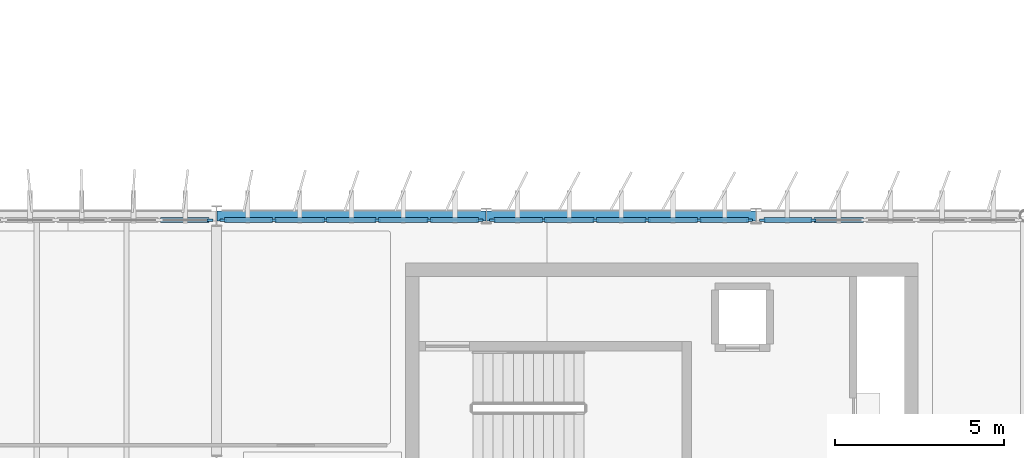
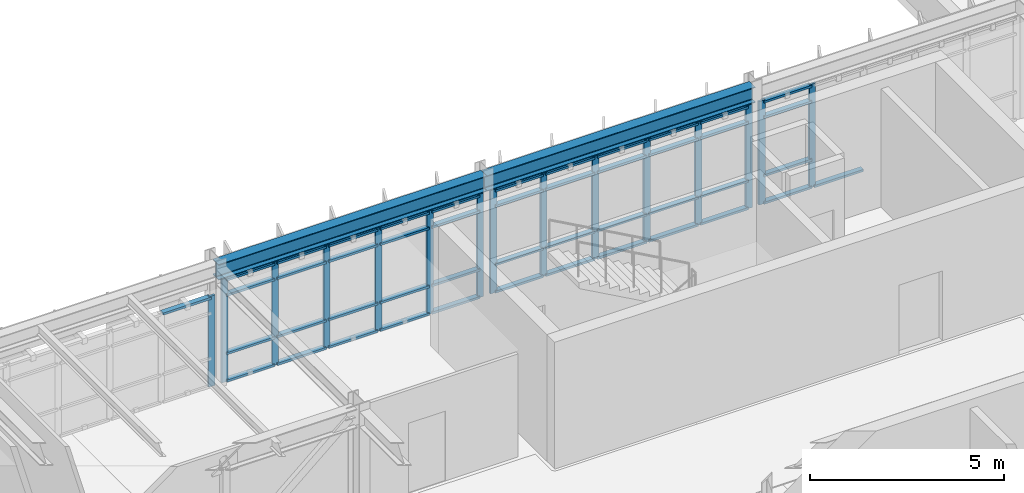
# One storey, part 17 of 56: 61 members, 2 beams, 4 elements without a shape of their own.
"""IFC4 building model written with IfcOpenShell, lengths in metres."""

from ifc_helpers import new_model, si_unit, direction, frame, origin, origin_2d, place, context, subcontext, project, spatial, rectangle, i_section, extrude, material, layer, layer_set, material_profile, profile_set, type_object, element, aggregate, save


model = new_model("IFC4")

# Units and contexts
model_context = context("Model", 3, precision=1e-05, world=origin(), true_north=direction((0.0, 1.0)))
body_context = subcontext(model_context, "Body", "Model", "MODEL_VIEW")
ifc_project = project(units=[si_unit("LENGTHUNIT", "METRE"), si_unit("AREAUNIT", "SQUARE_METRE"), si_unit("VOLUMEUNIT", "CUBIC_METRE"), si_unit("PLANEANGLEUNIT", "RADIAN"), si_unit("MASSUNIT", "GRAM", prefix="KILO")], contexts=[model_context])

# Site, building, storey
site_placement = place(None, origin())
site = spatial("IfcSite", under=ifc_project, at=site_placement, CompositionType="ELEMENT")
building_placement = place(site_placement, origin())
building = spatial("IfcBuilding", under=site, at=building_placement, Name="Valkorina Park Police Headquarters", CompositionType="ELEMENT")
storey_placement = place(building_placement, frame((0.0, 0.0, 14.10009765625)))
storey = spatial("IfcBuildingStorey", under=building, at=storey_placement, Name="L04", CompositionType="ELEMENT", Elevation=14.10009765625)

# Beams
ifc_material_1 = material(Name="Steel S355", Category="steel")
ifc_material_profile_1 = material_profile(ifc_material_1, i_section(OverallWidth=0.300048828125, OverallDepth=0.489990234375, WebThickness=0.011962890625, FlangeThickness=0.02294921875, FilletRadius=0.027099609375, at=origin_2d()), Name="HEA 500")
ifc_profile_set_1 = profile_set([ifc_material_profile_1], Name="Steel S355")
beam_type = type_object("IfcBeamType", Name="BM-S355-HEA500-SPN", PredefinedType="SPANDREL", material=ifc_profile_set_1)
beam_1_placement = place(storey_placement, frame((32.8076171875, 59.199951171875, 3.510009765625), z_axis=(1.0, 0.0, 0.0), x_axis=(0.0, 1.0, 0.0)))
element("IfcBeam", 1, at=beam_1_placement, inside=storey, type_object=beam_type, Name="L04 Framing Beam 2253", PredefinedType="SPANDREL", context=body_context, shape_type="SweptSolid", body=[
    extrude(i_section(OverallWidth=0.300048828125, OverallDepth=0.489990234375, WebThickness=0.011962890625, FlangeThickness=0.02294921875, FilletRadius=0.027099609375, at=origin_2d()), origin(), (0.0, 0.0, 1.0), 7.9853515625),
])
beam_2_placement = place(storey_placement, frame((40.806884765625, 59.199951171875, 3.510009765625), z_axis=(1.0, 0.0, 0.0), x_axis=(0.0, 1.0, 0.0)))
element("IfcBeam", 2, at=beam_2_placement, inside=storey, type_object=beam_type, Name="L04 Framing Beam 2254", PredefinedType="SPANDREL", context=body_context, shape_type="SweptSolid", body=[
    extrude(i_section(OverallWidth=0.300048828125, OverallDepth=0.489990234375, WebThickness=0.011962890625, FlangeThickness=0.02294921875, FilletRadius=0.027099609375, at=origin_2d()), origin(), (0.0, 0.0, 1.0), 7.986083984375),
])

# Curtain wall, member
ifc_material_2 = material(Name="Thermally broken aluminium AW-6060", Category="aluminium")
ifc_layer_1 = layer(ifc_material_2, 0.18994140625)
ifc_layer_set_1 = layer_set([ifc_layer_1], Name="Thermally broken aluminium AW-6060")
curtain_wall_type_1 = type_object("IfcCurtainWallType", Name="CW-V5-7680x2840", PredefinedType="NOTDEFINED", material=ifc_layer_set_1)
curtain_wall_1_placement = place(storey_placement, origin())
curtain_wall_1 = element("IfcCurtainWall", 3, at=curtain_wall_1_placement, inside=storey, type_object=curtain_wall_type_1, Name="L04 Unitised Curtain Wall 033", PredefinedType="NOTDEFINED")
ifc_material_profile_2 = material_profile(ifc_material_2, rectangle(XDim=0.070068359375, YDim=0.18994140625, at=origin_2d()), Name="CWM-02 70x190")
ifc_profile_set_2 = profile_set([ifc_material_profile_2], Name="Thermally broken aluminium AW-6060")
member_type_1 = type_object("IfcMemberType", Name="CWM-70x190", PredefinedType="MULLION", material=ifc_profile_set_2)
member_1_placement = place(storey_placement, frame((32.60498046875, 59.080078125, 0.0), z_axis=(0.0, 0.0, 1.0), x_axis=(0.0, 1.0, 0.0)))
member_1 = element("IfcMember", 4, at=member_1_placement, type_object=member_type_1, Name="CW-V5-768-284 mullion 6", PredefinedType="MULLION", context=body_context, shape_type="SweptSolid", body=[
    extrude(rectangle(XDim=0.070068359375, YDim=0.18994140625, at=origin_2d()), origin(), (0.0, 0.0, 1.0), 2.844970703125),
])

# Curtain wall, members
ifc_layer_2 = layer(ifc_material_2, 0.18994140625)
ifc_layer_set_2 = layer_set([ifc_layer_2], Name="Thermally broken aluminium AW-6060")
curtain_wall_type_2 = type_object("IfcCurtainWallType", Name="CW-V5-7680x3260", PredefinedType="NOTDEFINED", material=ifc_layer_set_2)
curtain_wall_2_placement = place(storey_placement, origin())
curtain_wall_2 = element("IfcCurtainWall", 5, at=curtain_wall_2_placement, inside=storey, type_object=curtain_wall_type_2, Name="L04 Unitised Curtain Wall 034", PredefinedType="NOTDEFINED")
member_2_placement = place(storey_placement, frame((32.9951171875, 59.080078125, 0.0), z_axis=(0.0, 0.0, 1.0), x_axis=(0.0, 1.0, 0.0)))
member_2 = element("IfcMember", 6, at=member_2_placement, type_object=member_type_1, Name="CW-V5-768-326 mullion 1", PredefinedType="MULLION", context=body_context, shape_type="SweptSolid", body=[
    extrude(rectangle(XDim=0.070068359375, YDim=0.18994140625, at=origin_2d()), origin(), (0.0, 0.0, 1.0), 3.2548828125),
])
member_3_placement = place(storey_placement, frame((34.49609375, 59.080078125, 0.0), z_axis=(0.0, 0.0, 1.0), x_axis=(0.0, 1.0, 0.0)))
member_3 = element("IfcMember", 7, at=member_3_placement, type_object=member_type_1, Name="CW-V5-768-326 mullion 2", PredefinedType="MULLION", context=body_context, shape_type="SweptSolid", body=[
    extrude(rectangle(XDim=0.070068359375, YDim=0.18994140625, at=origin_2d()), origin(), (0.0, 0.0, 1.0), 3.2548828125),
])
member_4_placement = place(storey_placement, frame((36.031982421875, 59.080078125, 0.0), z_axis=(0.0, 0.0, 1.0), x_axis=(0.0, 1.0, 0.0)))
member_4 = element("IfcMember", 8, at=member_4_placement, type_object=member_type_1, Name="CW-V5-768-326 mullion 3", PredefinedType="MULLION", context=body_context, shape_type="SweptSolid", body=[
    extrude(rectangle(XDim=0.070068359375, YDim=0.18994140625, at=origin_2d()), origin(), (0.0, 0.0, 1.0), 3.2548828125),
])
member_5_placement = place(storey_placement, frame((37.568115234375, 59.080078125, 0.0), z_axis=(0.0, 0.0, 1.0), x_axis=(0.0, 1.0, 0.0)))
member_5 = element("IfcMember", 9, at=member_5_placement, type_object=member_type_1, Name="CW-V5-768-326 mullion 4", PredefinedType="MULLION", context=body_context, shape_type="SweptSolid", body=[
    extrude(rectangle(XDim=0.070068359375, YDim=0.18994140625, at=origin_2d()), origin(), (0.0, 0.0, 1.0), 3.2548828125),
])
member_6_placement = place(storey_placement, frame((39.10400390625, 59.080078125, 0.0), z_axis=(0.0, 0.0, 1.0), x_axis=(0.0, 1.0, 0.0)))
member_6 = element("IfcMember", 10, at=member_6_placement, type_object=member_type_1, Name="CW-V5-768-326 mullion 5", PredefinedType="MULLION", context=body_context, shape_type="SweptSolid", body=[
    extrude(rectangle(XDim=0.070068359375, YDim=0.18994140625, at=origin_2d()), origin(), (0.0, 0.0, 1.0), 3.2548828125),
])
member_7_placement = place(storey_placement, frame((40.60498046875, 59.080078125, 0.0), z_axis=(0.0, 0.0, 1.0), x_axis=(0.0, 1.0, 0.0)))
member_7 = element("IfcMember", 11, at=member_7_placement, type_object=member_type_1, Name="CW-V5-768-326 mullion 6", PredefinedType="MULLION", context=body_context, shape_type="SweptSolid", body=[
    extrude(rectangle(XDim=0.070068359375, YDim=0.18994140625, at=origin_2d()), origin(), (0.0, 0.0, 1.0), 3.2548828125),
])

curtain_wall_3_placement = place(storey_placement, origin())
curtain_wall_3 = element("IfcCurtainWall", 12, at=curtain_wall_3_placement, inside=storey, type_object=curtain_wall_type_2, Name="L04 Unitised Curtain Wall 035", PredefinedType="NOTDEFINED")
member_8_placement = place(storey_placement, frame((40.9951171875, 59.080078125, 0.0), z_axis=(0.0, 0.0, 1.0), x_axis=(0.0, 1.0, 0.0)))
member_8 = element("IfcMember", 13, at=member_8_placement, type_object=member_type_1, Name="CW-V5-768-326 mullion 1", PredefinedType="MULLION", context=body_context, shape_type="SweptSolid", body=[
    extrude(rectangle(XDim=0.070068359375, YDim=0.18994140625, at=origin_2d()), origin(), (0.0, 0.0, 1.0), 3.2548828125),
])
member_9_placement = place(storey_placement, frame((42.49609375, 59.080078125, 0.0), z_axis=(0.0, 0.0, 1.0), x_axis=(0.0, 1.0, 0.0)))
member_9 = element("IfcMember", 14, at=member_9_placement, type_object=member_type_1, Name="CW-V5-768-326 mullion 2", PredefinedType="MULLION", context=body_context, shape_type="SweptSolid", body=[
    extrude(rectangle(XDim=0.070068359375, YDim=0.18994140625, at=origin_2d()), origin(), (0.0, 0.0, 1.0), 3.2548828125),
])
member_10_placement = place(storey_placement, frame((44.031982421875, 59.080078125, 0.0), z_axis=(0.0, 0.0, 1.0), x_axis=(0.0, 1.0, 0.0)))
member_10 = element("IfcMember", 15, at=member_10_placement, type_object=member_type_1, Name="CW-V5-768-326 mullion 3", PredefinedType="MULLION", context=body_context, shape_type="SweptSolid", body=[
    extrude(rectangle(XDim=0.070068359375, YDim=0.18994140625, at=origin_2d()), origin(), (0.0, 0.0, 1.0), 3.2548828125),
])
member_11_placement = place(storey_placement, frame((45.568115234375, 59.080078125, 0.0), z_axis=(0.0, 0.0, 1.0), x_axis=(0.0, 1.0, 0.0)))
member_11 = element("IfcMember", 16, at=member_11_placement, type_object=member_type_1, Name="CW-V5-768-326 mullion 4", PredefinedType="MULLION", context=body_context, shape_type="SweptSolid", body=[
    extrude(rectangle(XDim=0.070068359375, YDim=0.18994140625, at=origin_2d()), origin(), (0.0, 0.0, 1.0), 3.2548828125),
])
member_12_placement = place(storey_placement, frame((47.10400390625, 59.080078125, 0.0), z_axis=(0.0, 0.0, 1.0), x_axis=(0.0, 1.0, 0.0)))
member_12 = element("IfcMember", 17, at=member_12_placement, type_object=member_type_1, Name="CW-V5-768-326 mullion 5", PredefinedType="MULLION", context=body_context, shape_type="SweptSolid", body=[
    extrude(rectangle(XDim=0.070068359375, YDim=0.18994140625, at=origin_2d()), origin(), (0.0, 0.0, 1.0), 3.2548828125),
])
member_13_placement = place(storey_placement, frame((48.60498046875, 59.080078125, 0.0), z_axis=(0.0, 0.0, 1.0), x_axis=(0.0, 1.0, 0.0)))
member_13 = element("IfcMember", 18, at=member_13_placement, type_object=member_type_1, Name="CW-V5-768-326 mullion 6", PredefinedType="MULLION", context=body_context, shape_type="SweptSolid", body=[
    extrude(rectangle(XDim=0.070068359375, YDim=0.18994140625, at=origin_2d()), origin(), (0.0, 0.0, 1.0), 3.2548828125),
])

ifc_layer_3 = layer(ifc_material_2, 0.18994140625)
ifc_layer_set_3 = layer_set([ifc_layer_3], Name="Thermally broken aluminium AW-6060")
curtain_wall_type_3 = type_object("IfcCurtainWallType", Name="CW-V5-7650x3260", PredefinedType="NOTDEFINED", material=ifc_layer_set_3)
curtain_wall_4_placement = place(storey_placement, origin())
curtain_wall_4 = element("IfcCurtainWall", 19, at=curtain_wall_4_placement, inside=storey, type_object=curtain_wall_type_3, Name="L04 Unitised Curtain Wall 036", PredefinedType="NOTDEFINED")
member_14_placement = place(storey_placement, frame((48.9951171875, 59.080078125, 0.0), z_axis=(0.0, 0.0, 1.0), x_axis=(0.0, 1.0, 0.0)))
member_14 = element("IfcMember", 20, at=member_14_placement, type_object=member_type_1, Name="CW-V5-765-326 mullion 1", PredefinedType="MULLION", context=body_context, shape_type="SweptSolid", body=[
    extrude(rectangle(XDim=0.070068359375, YDim=0.18994140625, at=origin_2d()), origin(), (0.0, 0.0, 1.0), 3.2548828125),
])
member_15_placement = place(storey_placement, frame((50.490478515625, 59.080078125, 0.0), z_axis=(0.0, 0.0, 1.0), x_axis=(0.0, 1.0, 0.0)))
member_15 = element("IfcMember", 21, at=member_15_placement, type_object=member_type_1, Name="CW-V5-765-326 mullion 2", PredefinedType="MULLION", context=body_context, shape_type="SweptSolid", body=[
    extrude(rectangle(XDim=0.070068359375, YDim=0.18994140625, at=origin_2d()), origin(), (0.0, 0.0, 1.0), 3.2548828125),
])

# Member
ifc_material_profile_3 = material_profile(ifc_material_2, rectangle(XDim=0.14990234375, YDim=0.070068359375, at=origin_2d()), Name="CWT-02 150x70")
ifc_profile_set_3 = profile_set([ifc_material_profile_3], Name="Thermally broken aluminium AW-6060")
member_type_2 = type_object("IfcMemberType", Name="CWT-150x70", PredefinedType="USERDEFINED", material=ifc_profile_set_3)
member_16_placement = place(storey_placement, frame((31.138916015625, 59.080078125, 2.809814453125), z_axis=(1.0, 0.0, 0.0), x_axis=(0.0, 1.0, 0.0)))
member_16 = element("IfcMember", 22, at=member_16_placement, type_object=member_type_2, Name="CW-V5-768-284 transom 5.4", ObjectType="TRANSOM", PredefinedType="USERDEFINED", context=body_context, shape_type="SweptSolid", body=[
    extrude(rectangle(XDim=0.14990234375, YDim=0.070068359375, at=origin_2d()), origin(), (0.0, 0.0, 1.0), 1.43115234375),
])

aggregate(curtain_wall_1, [member_1, member_16])

member_17_placement = place(storey_placement, frame((33.030029296875, 59.080078125, 0.034912109375), z_axis=(1.0, 0.0, 0.0), x_axis=(0.0, 1.0, 0.0)))
member_17 = element("IfcMember", 23, at=member_17_placement, type_object=member_type_2, Name="CW-V5-768-326 transom 1.1", ObjectType="TRANSOM", PredefinedType="USERDEFINED", context=body_context, shape_type="SweptSolid", body=[
    extrude(rectangle(XDim=0.14990234375, YDim=0.070068359375, at=origin_2d()), origin(), (0.0, 0.0, 1.0), 1.430908203125),
])

member_18_placement = place(storey_placement, frame((33.030029296875, 59.080078125, 0.89990234375), z_axis=(1.0, 0.0, 0.0), x_axis=(0.0, 1.0, 0.0)))
member_18 = element("IfcMember", 24, at=member_18_placement, type_object=member_type_2, Name="CW-V5-768-326 transom 1.2", ObjectType="TRANSOM", PredefinedType="USERDEFINED", context=body_context, shape_type="SweptSolid", body=[
    extrude(rectangle(XDim=0.14990234375, YDim=0.070068359375, at=origin_2d()), origin(), (0.0, 0.0, 1.0), 1.430908203125),
])

member_19_placement = place(storey_placement, frame((33.030029296875, 59.080078125, 2.73486328125), z_axis=(1.0, 0.0, 0.0), x_axis=(0.0, 1.0, 0.0)))
member_19 = element("IfcMember", 25, at=member_19_placement, type_object=member_type_2, Name="CW-V5-768-326 transom 1.3", ObjectType="TRANSOM", PredefinedType="USERDEFINED", context=body_context, shape_type="SweptSolid", body=[
    extrude(rectangle(XDim=0.14990234375, YDim=0.070068359375, at=origin_2d()), origin(), (0.0, 0.0, 1.0), 1.430908203125),
])

member_20_placement = place(storey_placement, frame((33.030029296875, 59.080078125, 3.219970703125), z_axis=(1.0, 0.0, 0.0), x_axis=(0.0, 1.0, 0.0)))
member_20 = element("IfcMember", 26, at=member_20_placement, type_object=member_type_2, Name="CW-V5-768-326 transom 1.4", ObjectType="TRANSOM", PredefinedType="USERDEFINED", context=body_context, shape_type="SweptSolid", body=[
    extrude(rectangle(XDim=0.14990234375, YDim=0.070068359375, at=origin_2d()), origin(), (0.0, 0.0, 1.0), 1.430908203125),
])

member_21_placement = place(storey_placement, frame((34.531005859375, 59.080078125, 0.034912109375), z_axis=(1.0, 0.0, 0.0), x_axis=(0.0, 1.0, 0.0)))
member_21 = element("IfcMember", 27, at=member_21_placement, type_object=member_type_2, Name="CW-V5-768-326 transom 2.1", ObjectType="TRANSOM", PredefinedType="USERDEFINED", context=body_context, shape_type="SweptSolid", body=[
    extrude(rectangle(XDim=0.14990234375, YDim=0.070068359375, at=origin_2d()), origin(), (0.0, 0.0, 1.0), 1.466064453125),
])

member_22_placement = place(storey_placement, frame((34.531005859375, 59.080078125, 0.89990234375), z_axis=(1.0, 0.0, 0.0), x_axis=(0.0, 1.0, 0.0)))
member_22 = element("IfcMember", 28, at=member_22_placement, type_object=member_type_2, Name="CW-V5-768-326 transom 2.2", ObjectType="TRANSOM", PredefinedType="USERDEFINED", context=body_context, shape_type="SweptSolid", body=[
    extrude(rectangle(XDim=0.14990234375, YDim=0.070068359375, at=origin_2d()), origin(), (0.0, 0.0, 1.0), 1.466064453125),
])

member_23_placement = place(storey_placement, frame((34.531005859375, 59.080078125, 2.73486328125), z_axis=(1.0, 0.0, 0.0), x_axis=(0.0, 1.0, 0.0)))
member_23 = element("IfcMember", 29, at=member_23_placement, type_object=member_type_2, Name="CW-V5-768-326 transom 2.3", ObjectType="TRANSOM", PredefinedType="USERDEFINED", context=body_context, shape_type="SweptSolid", body=[
    extrude(rectangle(XDim=0.14990234375, YDim=0.070068359375, at=origin_2d()), origin(), (0.0, 0.0, 1.0), 1.466064453125),
])

member_24_placement = place(storey_placement, frame((34.531005859375, 59.080078125, 3.219970703125), z_axis=(1.0, 0.0, 0.0), x_axis=(0.0, 1.0, 0.0)))
member_24 = element("IfcMember", 30, at=member_24_placement, type_object=member_type_2, Name="CW-V5-768-326 transom 2.4", ObjectType="TRANSOM", PredefinedType="USERDEFINED", context=body_context, shape_type="SweptSolid", body=[
    extrude(rectangle(XDim=0.14990234375, YDim=0.070068359375, at=origin_2d()), origin(), (0.0, 0.0, 1.0), 1.466064453125),
])

member_25_placement = place(storey_placement, frame((36.06689453125, 59.080078125, 0.034912109375), z_axis=(1.0, 0.0, 0.0), x_axis=(0.0, 1.0, 0.0)))
member_25 = element("IfcMember", 31, at=member_25_placement, type_object=member_type_2, Name="CW-V5-768-326 transom 3.1", ObjectType="TRANSOM", PredefinedType="USERDEFINED", context=body_context, shape_type="SweptSolid", body=[
    extrude(rectangle(XDim=0.14990234375, YDim=0.070068359375, at=origin_2d()), origin(), (0.0, 0.0, 1.0), 1.466064453125),
])

member_26_placement = place(storey_placement, frame((36.06689453125, 59.080078125, 0.89990234375), z_axis=(1.0, 0.0, 0.0), x_axis=(0.0, 1.0, 0.0)))
member_26 = element("IfcMember", 32, at=member_26_placement, type_object=member_type_2, Name="CW-V5-768-326 transom 3.2", ObjectType="TRANSOM", PredefinedType="USERDEFINED", context=body_context, shape_type="SweptSolid", body=[
    extrude(rectangle(XDim=0.14990234375, YDim=0.070068359375, at=origin_2d()), origin(), (0.0, 0.0, 1.0), 1.466064453125),
])

member_27_placement = place(storey_placement, frame((36.06689453125, 59.080078125, 2.73486328125), z_axis=(1.0, 0.0, 0.0), x_axis=(0.0, 1.0, 0.0)))
member_27 = element("IfcMember", 33, at=member_27_placement, type_object=member_type_2, Name="CW-V5-768-326 transom 3.3", ObjectType="TRANSOM", PredefinedType="USERDEFINED", context=body_context, shape_type="SweptSolid", body=[
    extrude(rectangle(XDim=0.14990234375, YDim=0.070068359375, at=origin_2d()), origin(), (0.0, 0.0, 1.0), 1.466064453125),
])

member_28_placement = place(storey_placement, frame((36.06689453125, 59.080078125, 3.219970703125), z_axis=(1.0, 0.0, 0.0), x_axis=(0.0, 1.0, 0.0)))
member_28 = element("IfcMember", 34, at=member_28_placement, type_object=member_type_2, Name="CW-V5-768-326 transom 3.4", ObjectType="TRANSOM", PredefinedType="USERDEFINED", context=body_context, shape_type="SweptSolid", body=[
    extrude(rectangle(XDim=0.14990234375, YDim=0.070068359375, at=origin_2d()), origin(), (0.0, 0.0, 1.0), 1.466064453125),
])

member_29_placement = place(storey_placement, frame((37.60302734375, 59.080078125, 0.034912109375), z_axis=(1.0, 0.0, 0.0), x_axis=(0.0, 1.0, 0.0)))
member_29 = element("IfcMember", 35, at=member_29_placement, type_object=member_type_2, Name="CW-V5-768-326 transom 4.1", ObjectType="TRANSOM", PredefinedType="USERDEFINED", context=body_context, shape_type="SweptSolid", body=[
    extrude(rectangle(XDim=0.14990234375, YDim=0.070068359375, at=origin_2d()), origin(), (0.0, 0.0, 1.0), 1.466064453125),
])

member_30_placement = place(storey_placement, frame((37.60302734375, 59.080078125, 0.89990234375), z_axis=(1.0, 0.0, 0.0), x_axis=(0.0, 1.0, 0.0)))
member_30 = element("IfcMember", 36, at=member_30_placement, type_object=member_type_2, Name="CW-V5-768-326 transom 4.2", ObjectType="TRANSOM", PredefinedType="USERDEFINED", context=body_context, shape_type="SweptSolid", body=[
    extrude(rectangle(XDim=0.14990234375, YDim=0.070068359375, at=origin_2d()), origin(), (0.0, 0.0, 1.0), 1.466064453125),
])

member_31_placement = place(storey_placement, frame((37.60302734375, 59.080078125, 2.73486328125), z_axis=(1.0, 0.0, 0.0), x_axis=(0.0, 1.0, 0.0)))
member_31 = element("IfcMember", 37, at=member_31_placement, type_object=member_type_2, Name="CW-V5-768-326 transom 4.3", ObjectType="TRANSOM", PredefinedType="USERDEFINED", context=body_context, shape_type="SweptSolid", body=[
    extrude(rectangle(XDim=0.14990234375, YDim=0.070068359375, at=origin_2d()), origin(), (0.0, 0.0, 1.0), 1.466064453125),
])

member_32_placement = place(storey_placement, frame((37.60302734375, 59.080078125, 3.219970703125), z_axis=(1.0, 0.0, 0.0), x_axis=(0.0, 1.0, 0.0)))
member_32 = element("IfcMember", 38, at=member_32_placement, type_object=member_type_2, Name="CW-V5-768-326 transom 4.4", ObjectType="TRANSOM", PredefinedType="USERDEFINED", context=body_context, shape_type="SweptSolid", body=[
    extrude(rectangle(XDim=0.14990234375, YDim=0.070068359375, at=origin_2d()), origin(), (0.0, 0.0, 1.0), 1.466064453125),
])

member_33_placement = place(storey_placement, frame((39.138916015625, 59.080078125, 0.034912109375), z_axis=(1.0, 0.0, 0.0), x_axis=(0.0, 1.0, 0.0)))
member_33 = element("IfcMember", 39, at=member_33_placement, type_object=member_type_2, Name="CW-V5-768-326 transom 5.1", ObjectType="TRANSOM", PredefinedType="USERDEFINED", context=body_context, shape_type="SweptSolid", body=[
    extrude(rectangle(XDim=0.14990234375, YDim=0.070068359375, at=origin_2d()), origin(), (0.0, 0.0, 1.0), 1.43115234375),
])

member_34_placement = place(storey_placement, frame((39.138916015625, 59.080078125, 0.89990234375), z_axis=(1.0, 0.0, 0.0), x_axis=(0.0, 1.0, 0.0)))
member_34 = element("IfcMember", 40, at=member_34_placement, type_object=member_type_2, Name="CW-V5-768-326 transom 5.2", ObjectType="TRANSOM", PredefinedType="USERDEFINED", context=body_context, shape_type="SweptSolid", body=[
    extrude(rectangle(XDim=0.14990234375, YDim=0.070068359375, at=origin_2d()), origin(), (0.0, 0.0, 1.0), 1.43115234375),
])

member_35_placement = place(storey_placement, frame((39.138916015625, 59.080078125, 2.73486328125), z_axis=(1.0, 0.0, 0.0), x_axis=(0.0, 1.0, 0.0)))
member_35 = element("IfcMember", 41, at=member_35_placement, type_object=member_type_2, Name="CW-V5-768-326 transom 5.3", ObjectType="TRANSOM", PredefinedType="USERDEFINED", context=body_context, shape_type="SweptSolid", body=[
    extrude(rectangle(XDim=0.14990234375, YDim=0.070068359375, at=origin_2d()), origin(), (0.0, 0.0, 1.0), 1.43115234375),
])

member_36_placement = place(storey_placement, frame((39.138916015625, 59.080078125, 3.219970703125), z_axis=(1.0, 0.0, 0.0), x_axis=(0.0, 1.0, 0.0)))
member_36 = element("IfcMember", 42, at=member_36_placement, type_object=member_type_2, Name="CW-V5-768-326 transom 5.4", ObjectType="TRANSOM", PredefinedType="USERDEFINED", context=body_context, shape_type="SweptSolid", body=[
    extrude(rectangle(XDim=0.14990234375, YDim=0.070068359375, at=origin_2d()), origin(), (0.0, 0.0, 1.0), 1.43115234375),
])

aggregate(curtain_wall_2, [member_2, member_3, member_4, member_5, member_6, member_7, member_17, member_18, member_19, member_20, member_21, member_22, member_23, member_24, member_25, member_26, member_27, member_28, member_29, member_30, member_31, member_32, member_33, member_34, member_35, member_36])

member_37_placement = place(storey_placement, frame((41.030029296875, 59.080078125, 0.034912109375), z_axis=(1.0, 0.0, 0.0), x_axis=(0.0, 1.0, 0.0)))
member_37 = element("IfcMember", 43, at=member_37_placement, type_object=member_type_2, Name="CW-V5-768-326 transom 1.1", ObjectType="TRANSOM", PredefinedType="USERDEFINED", context=body_context, shape_type="SweptSolid", body=[
    extrude(rectangle(XDim=0.14990234375, YDim=0.070068359375, at=origin_2d()), origin(), (0.0, 0.0, 1.0), 1.430908203125),
])

member_38_placement = place(storey_placement, frame((41.030029296875, 59.080078125, 0.89990234375), z_axis=(1.0, 0.0, 0.0), x_axis=(0.0, 1.0, 0.0)))
member_38 = element("IfcMember", 44, at=member_38_placement, type_object=member_type_2, Name="CW-V5-768-326 transom 1.2", ObjectType="TRANSOM", PredefinedType="USERDEFINED", context=body_context, shape_type="SweptSolid", body=[
    extrude(rectangle(XDim=0.14990234375, YDim=0.070068359375, at=origin_2d()), origin(), (0.0, 0.0, 1.0), 1.430908203125),
])

member_39_placement = place(storey_placement, frame((41.030029296875, 59.080078125, 2.73486328125), z_axis=(1.0, 0.0, 0.0), x_axis=(0.0, 1.0, 0.0)))
member_39 = element("IfcMember", 45, at=member_39_placement, type_object=member_type_2, Name="CW-V5-768-326 transom 1.3", ObjectType="TRANSOM", PredefinedType="USERDEFINED", context=body_context, shape_type="SweptSolid", body=[
    extrude(rectangle(XDim=0.14990234375, YDim=0.070068359375, at=origin_2d()), origin(), (0.0, 0.0, 1.0), 1.430908203125),
])

member_40_placement = place(storey_placement, frame((41.030029296875, 59.080078125, 3.219970703125), z_axis=(1.0, 0.0, 0.0), x_axis=(0.0, 1.0, 0.0)))
member_40 = element("IfcMember", 46, at=member_40_placement, type_object=member_type_2, Name="CW-V5-768-326 transom 1.4", ObjectType="TRANSOM", PredefinedType="USERDEFINED", context=body_context, shape_type="SweptSolid", body=[
    extrude(rectangle(XDim=0.14990234375, YDim=0.070068359375, at=origin_2d()), origin(), (0.0, 0.0, 1.0), 1.430908203125),
])

member_41_placement = place(storey_placement, frame((42.531005859375, 59.080078125, 0.034912109375), z_axis=(1.0, 0.0, 0.0), x_axis=(0.0, 1.0, 0.0)))
member_41 = element("IfcMember", 47, at=member_41_placement, type_object=member_type_2, Name="CW-V5-768-326 transom 2.1", ObjectType="TRANSOM", PredefinedType="USERDEFINED", context=body_context, shape_type="SweptSolid", body=[
    extrude(rectangle(XDim=0.14990234375, YDim=0.070068359375, at=origin_2d()), origin(), (0.0, 0.0, 1.0), 1.466064453125),
])

member_42_placement = place(storey_placement, frame((42.531005859375, 59.080078125, 0.89990234375), z_axis=(1.0, 0.0, 0.0), x_axis=(0.0, 1.0, 0.0)))
member_42 = element("IfcMember", 48, at=member_42_placement, type_object=member_type_2, Name="CW-V5-768-326 transom 2.2", ObjectType="TRANSOM", PredefinedType="USERDEFINED", context=body_context, shape_type="SweptSolid", body=[
    extrude(rectangle(XDim=0.14990234375, YDim=0.070068359375, at=origin_2d()), origin(), (0.0, 0.0, 1.0), 1.466064453125),
])

member_43_placement = place(storey_placement, frame((42.531005859375, 59.080078125, 2.73486328125), z_axis=(1.0, 0.0, 0.0), x_axis=(0.0, 1.0, 0.0)))
member_43 = element("IfcMember", 49, at=member_43_placement, type_object=member_type_2, Name="CW-V5-768-326 transom 2.3", ObjectType="TRANSOM", PredefinedType="USERDEFINED", context=body_context, shape_type="SweptSolid", body=[
    extrude(rectangle(XDim=0.14990234375, YDim=0.070068359375, at=origin_2d()), origin(), (0.0, 0.0, 1.0), 1.466064453125),
])

member_44_placement = place(storey_placement, frame((42.531005859375, 59.080078125, 3.219970703125), z_axis=(1.0, 0.0, 0.0), x_axis=(0.0, 1.0, 0.0)))
member_44 = element("IfcMember", 50, at=member_44_placement, type_object=member_type_2, Name="CW-V5-768-326 transom 2.4", ObjectType="TRANSOM", PredefinedType="USERDEFINED", context=body_context, shape_type="SweptSolid", body=[
    extrude(rectangle(XDim=0.14990234375, YDim=0.070068359375, at=origin_2d()), origin(), (0.0, 0.0, 1.0), 1.466064453125),
])

member_45_placement = place(storey_placement, frame((44.06689453125, 59.080078125, 0.034912109375), z_axis=(1.0, 0.0, 0.0), x_axis=(0.0, 1.0, 0.0)))
member_45 = element("IfcMember", 51, at=member_45_placement, type_object=member_type_2, Name="CW-V5-768-326 transom 3.1", ObjectType="TRANSOM", PredefinedType="USERDEFINED", context=body_context, shape_type="SweptSolid", body=[
    extrude(rectangle(XDim=0.14990234375, YDim=0.070068359375, at=origin_2d()), origin(), (0.0, 0.0, 1.0), 1.466064453125),
])

member_46_placement = place(storey_placement, frame((44.06689453125, 59.080078125, 0.89990234375), z_axis=(1.0, 0.0, 0.0), x_axis=(0.0, 1.0, 0.0)))
member_46 = element("IfcMember", 52, at=member_46_placement, type_object=member_type_2, Name="CW-V5-768-326 transom 3.2", ObjectType="TRANSOM", PredefinedType="USERDEFINED", context=body_context, shape_type="SweptSolid", body=[
    extrude(rectangle(XDim=0.14990234375, YDim=0.070068359375, at=origin_2d()), origin(), (0.0, 0.0, 1.0), 1.466064453125),
])

member_47_placement = place(storey_placement, frame((44.06689453125, 59.080078125, 2.73486328125), z_axis=(1.0, 0.0, 0.0), x_axis=(0.0, 1.0, 0.0)))
member_47 = element("IfcMember", 53, at=member_47_placement, type_object=member_type_2, Name="CW-V5-768-326 transom 3.3", ObjectType="TRANSOM", PredefinedType="USERDEFINED", context=body_context, shape_type="SweptSolid", body=[
    extrude(rectangle(XDim=0.14990234375, YDim=0.070068359375, at=origin_2d()), origin(), (0.0, 0.0, 1.0), 1.466064453125),
])

member_48_placement = place(storey_placement, frame((44.06689453125, 59.080078125, 3.219970703125), z_axis=(1.0, 0.0, 0.0), x_axis=(0.0, 1.0, 0.0)))
member_48 = element("IfcMember", 54, at=member_48_placement, type_object=member_type_2, Name="CW-V5-768-326 transom 3.4", ObjectType="TRANSOM", PredefinedType="USERDEFINED", context=body_context, shape_type="SweptSolid", body=[
    extrude(rectangle(XDim=0.14990234375, YDim=0.070068359375, at=origin_2d()), origin(), (0.0, 0.0, 1.0), 1.466064453125),
])

member_49_placement = place(storey_placement, frame((45.60302734375, 59.080078125, 0.034912109375), z_axis=(1.0, 0.0, 0.0), x_axis=(0.0, 1.0, 0.0)))
member_49 = element("IfcMember", 55, at=member_49_placement, type_object=member_type_2, Name="CW-V5-768-326 transom 4.1", ObjectType="TRANSOM", PredefinedType="USERDEFINED", context=body_context, shape_type="SweptSolid", body=[
    extrude(rectangle(XDim=0.14990234375, YDim=0.070068359375, at=origin_2d()), origin(), (0.0, 0.0, 1.0), 1.466064453125),
])

member_50_placement = place(storey_placement, frame((45.60302734375, 59.080078125, 0.89990234375), z_axis=(1.0, 0.0, 0.0), x_axis=(0.0, 1.0, 0.0)))
member_50 = element("IfcMember", 56, at=member_50_placement, type_object=member_type_2, Name="CW-V5-768-326 transom 4.2", ObjectType="TRANSOM", PredefinedType="USERDEFINED", context=body_context, shape_type="SweptSolid", body=[
    extrude(rectangle(XDim=0.14990234375, YDim=0.070068359375, at=origin_2d()), origin(), (0.0, 0.0, 1.0), 1.466064453125),
])

member_51_placement = place(storey_placement, frame((45.60302734375, 59.080078125, 2.73486328125), z_axis=(1.0, 0.0, 0.0), x_axis=(0.0, 1.0, 0.0)))
member_51 = element("IfcMember", 57, at=member_51_placement, type_object=member_type_2, Name="CW-V5-768-326 transom 4.3", ObjectType="TRANSOM", PredefinedType="USERDEFINED", context=body_context, shape_type="SweptSolid", body=[
    extrude(rectangle(XDim=0.14990234375, YDim=0.070068359375, at=origin_2d()), origin(), (0.0, 0.0, 1.0), 1.466064453125),
])

member_52_placement = place(storey_placement, frame((45.60302734375, 59.080078125, 3.219970703125), z_axis=(1.0, 0.0, 0.0), x_axis=(0.0, 1.0, 0.0)))
member_52 = element("IfcMember", 58, at=member_52_placement, type_object=member_type_2, Name="CW-V5-768-326 transom 4.4", ObjectType="TRANSOM", PredefinedType="USERDEFINED", context=body_context, shape_type="SweptSolid", body=[
    extrude(rectangle(XDim=0.14990234375, YDim=0.070068359375, at=origin_2d()), origin(), (0.0, 0.0, 1.0), 1.466064453125),
])

member_53_placement = place(storey_placement, frame((47.138916015625, 59.080078125, 0.034912109375), z_axis=(1.0, 0.0, 0.0), x_axis=(0.0, 1.0, 0.0)))
member_53 = element("IfcMember", 59, at=member_53_placement, type_object=member_type_2, Name="CW-V5-768-326 transom 5.1", ObjectType="TRANSOM", PredefinedType="USERDEFINED", context=body_context, shape_type="SweptSolid", body=[
    extrude(rectangle(XDim=0.14990234375, YDim=0.070068359375, at=origin_2d()), origin(), (0.0, 0.0, 1.0), 1.43115234375),
])

member_54_placement = place(storey_placement, frame((47.138916015625, 59.080078125, 0.89990234375), z_axis=(1.0, 0.0, 0.0), x_axis=(0.0, 1.0, 0.0)))
member_54 = element("IfcMember", 60, at=member_54_placement, type_object=member_type_2, Name="CW-V5-768-326 transom 5.2", ObjectType="TRANSOM", PredefinedType="USERDEFINED", context=body_context, shape_type="SweptSolid", body=[
    extrude(rectangle(XDim=0.14990234375, YDim=0.070068359375, at=origin_2d()), origin(), (0.0, 0.0, 1.0), 1.43115234375),
])

member_55_placement = place(storey_placement, frame((47.138916015625, 59.080078125, 2.73486328125), z_axis=(1.0, 0.0, 0.0), x_axis=(0.0, 1.0, 0.0)))
member_55 = element("IfcMember", 61, at=member_55_placement, type_object=member_type_2, Name="CW-V5-768-326 transom 5.3", ObjectType="TRANSOM", PredefinedType="USERDEFINED", context=body_context, shape_type="SweptSolid", body=[
    extrude(rectangle(XDim=0.14990234375, YDim=0.070068359375, at=origin_2d()), origin(), (0.0, 0.0, 1.0), 1.43115234375),
])

member_56_placement = place(storey_placement, frame((47.138916015625, 59.080078125, 3.219970703125), z_axis=(1.0, 0.0, 0.0), x_axis=(0.0, 1.0, 0.0)))
member_56 = element("IfcMember", 62, at=member_56_placement, type_object=member_type_2, Name="CW-V5-768-326 transom 5.4", ObjectType="TRANSOM", PredefinedType="USERDEFINED", context=body_context, shape_type="SweptSolid", body=[
    extrude(rectangle(XDim=0.14990234375, YDim=0.070068359375, at=origin_2d()), origin(), (0.0, 0.0, 1.0), 1.43115234375),
])

aggregate(curtain_wall_3, [member_8, member_9, member_10, member_11, member_12, member_13, member_37, member_38, member_39, member_40, member_41, member_42, member_43, member_44, member_45, member_46, member_47, member_48, member_49, member_50, member_51, member_52, member_53, member_54, member_55, member_56])

member_57_placement = place(storey_placement, frame((49.030029296875, 59.080078125, 0.034912109375), z_axis=(1.0, 0.0, 0.0), x_axis=(0.0, 1.0, 0.0)))
member_57 = element("IfcMember", 63, at=member_57_placement, type_object=member_type_2, Name="CW-V5-765-326 transom 1.1", ObjectType="TRANSOM", PredefinedType="USERDEFINED", context=body_context, shape_type="SweptSolid", body=[
    extrude(rectangle(XDim=0.14990234375, YDim=0.070068359375, at=origin_2d()), origin(), (0.0, 0.0, 1.0), 1.42529296875),
])

member_58_placement = place(storey_placement, frame((49.030029296875, 59.080078125, 0.89990234375), z_axis=(1.0, 0.0, 0.0), x_axis=(0.0, 1.0, 0.0)))
member_58 = element("IfcMember", 64, at=member_58_placement, type_object=member_type_2, Name="CW-V5-765-326 transom 1.2", ObjectType="TRANSOM", PredefinedType="USERDEFINED", context=body_context, shape_type="SweptSolid", body=[
    extrude(rectangle(XDim=0.14990234375, YDim=0.070068359375, at=origin_2d()), origin(), (0.0, 0.0, 1.0), 1.42529296875),
])

member_59_placement = place(storey_placement, frame((49.030029296875, 59.080078125, 2.73486328125), z_axis=(1.0, 0.0, 0.0), x_axis=(0.0, 1.0, 0.0)))
member_59 = element("IfcMember", 65, at=member_59_placement, type_object=member_type_2, Name="CW-V5-765-326 transom 1.3", ObjectType="TRANSOM", PredefinedType="USERDEFINED", context=body_context, shape_type="SweptSolid", body=[
    extrude(rectangle(XDim=0.14990234375, YDim=0.070068359375, at=origin_2d()), origin(), (0.0, 0.0, 1.0), 1.42529296875),
])

member_60_placement = place(storey_placement, frame((49.030029296875, 59.080078125, 3.219970703125), z_axis=(1.0, 0.0, 0.0), x_axis=(0.0, 1.0, 0.0)))
member_60 = element("IfcMember", 66, at=member_60_placement, type_object=member_type_2, Name="CW-V5-765-326 transom 1.4", ObjectType="TRANSOM", PredefinedType="USERDEFINED", context=body_context, shape_type="SweptSolid", body=[
    extrude(rectangle(XDim=0.14990234375, YDim=0.070068359375, at=origin_2d()), origin(), (0.0, 0.0, 1.0), 1.42529296875),
])

member_61_placement = place(storey_placement, frame((50.525390625, 59.080078125, 0.034912109375), z_axis=(1.0, 0.0, 0.0), x_axis=(0.0, 1.0, 0.0)))
member_61 = element("IfcMember", 67, at=member_61_placement, type_object=member_type_2, Name="CW-V5-765-326 transom 2.1", ObjectType="TRANSOM", PredefinedType="USERDEFINED", context=body_context, shape_type="SweptSolid", body=[
    extrude(rectangle(XDim=0.14990234375, YDim=0.070068359375, at=origin_2d()), origin(), (0.0, 0.0, 1.0), 1.46044921875),
])

aggregate(curtain_wall_4, [member_14, member_15, member_57, member_58, member_59, member_60, member_61])

save(model, "model.ifc")
